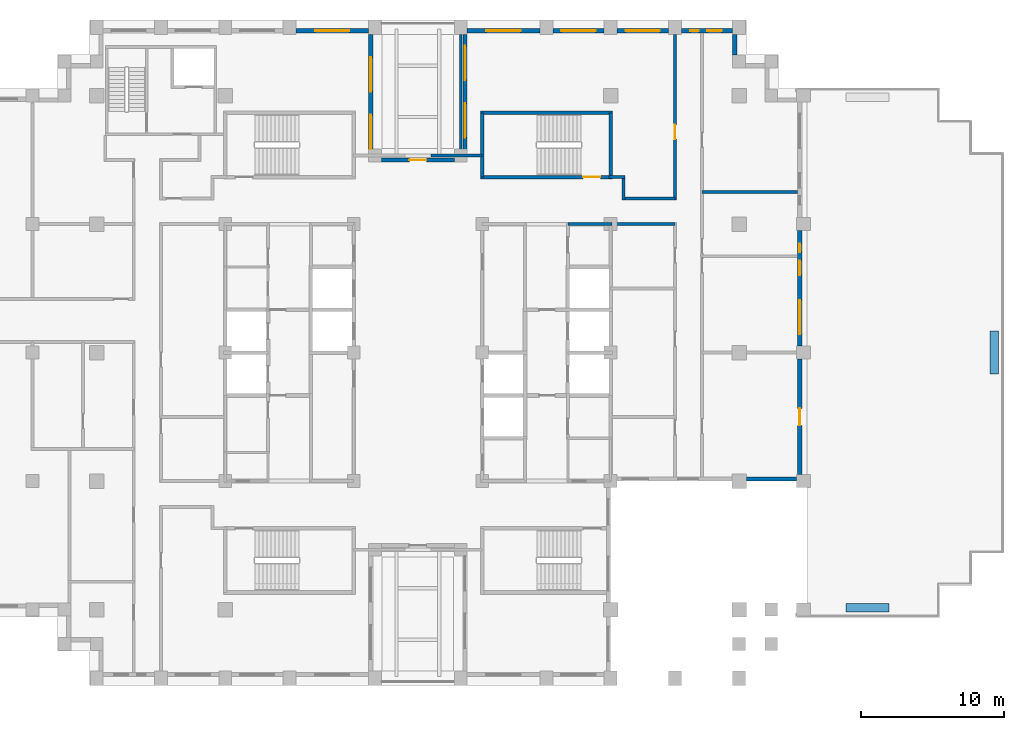
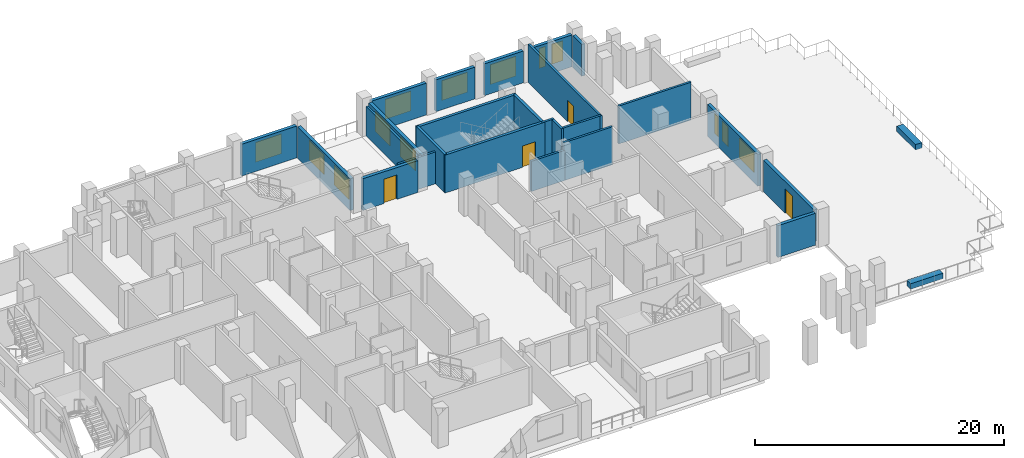
# One storey, part 8 of 12: 27 walls, 13 windows, 4 doors, 17 openings.
"""IFC4 building model written with IfcOpenShell, lengths in metres."""

from ifc_helpers import new_model, si_unit, direction, frame, frame_2d, origin, place, context, subcontext, project, spatial, rectangle, extrude, material, layer, layer_set, type_object, element, fill, save


model = new_model("IFC4")

# Units and contexts
model_context = context("Model", 3, precision=1e-05, world=origin(), true_north=direction((0.0, 1.0)))
body_context = subcontext(model_context, "Body", "Model", "MODEL_VIEW")
ifc_project = project(units=[si_unit("LENGTHUNIT", "METRE"), si_unit("AREAUNIT", "SQUARE_METRE"), si_unit("VOLUMEUNIT", "CUBIC_METRE"), si_unit("PLANEANGLEUNIT", "RADIAN"), si_unit("MASSUNIT", "GRAM", prefix="KILO")], contexts=[model_context])

# Site, building, storey
site_placement = place(None, origin())
site = spatial("IfcSite", under=ifc_project, at=site_placement, CompositionType="ELEMENT")
building_placement = place(site_placement, origin())
building = spatial("IfcBuilding", under=site, at=building_placement, Name="Corbelhall Arena Tower", CompositionType="ELEMENT")
storey_placement = place(building_placement, frame((0.0, 0.0, 184.0)))
storey = spatial("IfcBuildingStorey", under=building, at=storey_placement, Name="L37", CompositionType="ELEMENT", Elevation=184.0)

# Wall, opening, door
ifc_material_1 = material(Name="Precast concrete C40/50 with granite facing", Category="masonry")
ifc_layer_1 = layer(ifc_material_1, 0.300048828125)
ifc_layer_set_1 = layer_set([ifc_layer_1], Name="EV-IW1 Infill panel 300")
wall_type_1 = type_object("IfcWallType", Name="EV-IW1 Infill panel 300", PredefinedType="SOLIDWALL", material=ifc_layer_set_1)
wall_1_placement = place(storey_placement, frame((26.75, -0.449951171875, 0.0), z_axis=(0.0, 0.0, 1.0), x_axis=(0.0, -1.0, 0.0)))
wall_1 = element("IfcWall", 1, at=wall_1_placement, inside=storey, type_object=wall_type_1, Name="Infill panel IW1", PredefinedType="SOLIDWALL", context=body_context, shape_type="SweptSolid", body=[
    extrude(rectangle(XDim=8.10009765625, YDim=0.300048828125, at=frame_2d((4.050048828125, 0.0))), origin(), (0.0, 0.0, 1.0), 3.1201171875),
])
opening_1_placement = place(wall_1_placement, frame((3.449951171875, 0.0, 0.0)))
opening_1 = element("IfcOpeningElement", 2, at=opening_1_placement, cuts=wall_1, Name="Opening ED2", PredefinedType="OPENING", context=body_context, shape_type="SweptSolid", body=[
    extrude(rectangle(XDim=1.199951171875, YDim=2.39990234375, at=frame_2d((0.60009765625, 1.199951171875))), frame((0.0, 0.14990234375, 0.0), z_axis=(0.0, -1.0, 0.0), x_axis=(1.0, 0.0, 0.0)), (0.0, 0.0, 1.0), 0.300048828125),
])
ifc_material_2 = material(Name="Aluminium black anodised", Category="aluminium")
door_type_1 = type_object("IfcDoorType", Name="EV-ED2 Roof terrace door", OperationType="SINGLE_SWING_LEFT", PredefinedType="DOOR", material=ifc_material_2)
door_1_placement = place(opening_1_placement, origin())
door_1 = element("IfcDoor", 3, at=door_1_placement, inside=storey, type_object=door_type_1, Name="Terrace door", OperationType="SINGLE_SWING_LEFT", OverallHeight=2.39990234375, OverallWidth=1.199951171875, PredefinedType="DOOR", context=body_context, shape_type="SweptSolid", body=[
    extrude(rectangle(XDim=1.199951171875, YDim=2.39990234375, at=frame_2d((0.60009765625, 1.199951171875))), frame((0.0, 0.02490234375, 0.0), z_axis=(0.0, -1.0, 0.0), x_axis=(1.0, 0.0, 0.0)), (0.0, 0.0, 1.0), 0.050048828125),
])
fill(opening_1, door_1)

# Wall, openings, windows
wall_2_placement = place(storey_placement, frame((26.75, 0.449951171875, 0.0), z_axis=(0.0, 0.0, 1.0), x_axis=(0.0, 1.0, 0.0)))
wall_2 = element("IfcWall", 4, at=wall_2_placement, inside=storey, type_object=wall_type_1, Name="Infill panel IW1", PredefinedType="SOLIDWALL", context=body_context, shape_type="SweptSolid", body=[
    extrude(rectangle(XDim=8.10009765625, YDim=0.300048828125, at=frame_2d((4.050048828125, 0.0))), origin(), (0.0, 0.0, 1.0), 3.1201171875),
])
opening_2_placement = place(wall_2_placement, frame((0.824951171875, 0.0, 0.800048828125)))
opening_2 = element("IfcOpeningElement", 5, at=opening_2_placement, cuts=wall_2, Name="Opening WN1", PredefinedType="OPENING", context=body_context, shape_type="SweptSolid", body=[
    extrude(rectangle(XDim=2.39990234375, YDim=1.949951171875, at=frame_2d((1.199951171875, 0.97509765625))), frame((0.0, 0.14990234375, 0.0), z_axis=(0.0, -1.0, 0.0), x_axis=(1.0, 0.0, 0.0)), (0.0, 0.0, 1.0), 0.300048828125),
])
opening_3_placement = place(wall_2_placement, frame((4.987548828125, 0.0, 0.800048828125)))
opening_3 = element("IfcOpeningElement", 6, at=opening_3_placement, cuts=wall_2, Name="Opening WN6", PredefinedType="OPENING", context=body_context, shape_type="SweptSolid", body=[
    extrude(rectangle(XDim=1.0, YDim=1.949951171875, at=frame_2d((0.5, 0.97509765625))), frame((0.0, 0.14990234375, 0.0), z_axis=(0.0, -1.0, 0.0), x_axis=(1.0, 0.0, 0.0)), (0.0, 0.0, 1.0), 0.300048828125),
])
opening_4_placement = place(wall_2_placement, frame((6.58740234375, 0.0, 0.800048828125)))
opening_4 = element("IfcOpeningElement", 7, at=opening_4_placement, cuts=wall_2, Name="Opening WN5", PredefinedType="OPENING", context=body_context, shape_type="SweptSolid", body=[
    extrude(rectangle(XDim=0.60009765625, YDim=1.949951171875, at=frame_2d((0.300048828125, 0.97509765625))), frame((0.0, 0.14990234375, 0.0), z_axis=(0.0, -1.0, 0.0), x_axis=(1.0, 0.0, 0.0)), (0.0, 0.0, 1.0), 0.300048828125),
])
window_type_1 = type_object("IfcWindowType", Name="EV-WN1 Office window", PartitioningType="SINGLE_PANEL", PredefinedType="WINDOW", material=ifc_material_2)
window_1_placement = place(opening_2_placement, origin())
window_1 = element("IfcWindow", 8, at=window_1_placement, inside=storey, type_object=window_type_1, Name="Window WN1", OverallHeight=1.949951171875, OverallWidth=2.39990234375, PartitioningType="SINGLE_PANEL", PredefinedType="WINDOW", context=body_context, shape_type="SweptSolid", body=[
    extrude(rectangle(XDim=2.39990234375, YDim=1.949951171875, at=frame_2d((1.199951171875, 0.97509765625))), frame((0.0, 0.030029296875, 0.0), z_axis=(0.0, -1.0, 0.0), x_axis=(1.0, 0.0, 0.0)), (0.0, 0.0, 1.0), 0.06005859375),
])
fill(opening_2, window_1)
window_type_2 = type_object("IfcWindowType", Name="EV-WN5 Office window 600", PartitioningType="SINGLE_PANEL", PredefinedType="WINDOW", material=ifc_material_2)
window_2_placement = place(opening_4_placement, origin())
window_2 = element("IfcWindow", 9, at=window_2_placement, inside=storey, type_object=window_type_2, Name="Window WN5", OverallHeight=1.949951171875, OverallWidth=0.60009765625, PartitioningType="SINGLE_PANEL", PredefinedType="WINDOW", context=body_context, shape_type="SweptSolid", body=[
    extrude(rectangle(XDim=0.60009765625, YDim=1.949951171875, at=frame_2d((0.300048828125, 0.97509765625))), frame((0.0, 0.030029296875, 0.0), z_axis=(0.0, -1.0, 0.0), x_axis=(1.0, 0.0, 0.0)), (0.0, 0.0, 1.0), 0.06005859375),
])
fill(opening_4, window_2)
window_type_3 = type_object("IfcWindowType", Name="EV-WN6 Office window 1000", PartitioningType="SINGLE_PANEL", PredefinedType="WINDOW", material=ifc_material_2)
window_3_placement = place(opening_3_placement, origin())
window_3 = element("IfcWindow", 10, at=window_3_placement, inside=storey, type_object=window_type_3, Name="Window WN6", OverallHeight=1.949951171875, OverallWidth=1.0, PartitioningType="SINGLE_PANEL", PredefinedType="WINDOW", context=body_context, shape_type="SweptSolid", body=[
    extrude(rectangle(XDim=1.0, YDim=1.949951171875, at=frame_2d((0.5, 0.97509765625))), frame((0.0, 0.030029296875, 0.0), z_axis=(0.0, -1.0, 0.0), x_axis=(1.0, 0.0, 0.0)), (0.0, 0.0, 1.0), 0.06005859375),
])
fill(opening_3, window_3)

# Wall
wall_3_placement = place(storey_placement, frame((22.199951171875, 20.85009765625, 0.0), z_axis=(0.0, 0.0, 1.0), x_axis=(0.0, 1.0, 0.0)))
element("IfcWall", 11, at=wall_3_placement, inside=storey, type_object=wall_type_1, Name="Infill panel IW1", PredefinedType="SOLIDWALL", context=body_context, shape_type="SweptSolid", body=[
    extrude(rectangle(XDim=1.449951171875, YDim=0.300048828125, at=frame_2d((0.72509765625, 0.0))), origin(), (0.0, 0.0, 1.0), 3.1201171875),
])

# Wall, openings, windows
wall_4_placement = place(storey_placement, frame((22.050048828125, 22.550048828125, 0.0), z_axis=(0.0, 0.0, 1.0), x_axis=(-1.0, 0.0, 0.0)))
wall_4 = element("IfcWall", 12, at=wall_4_placement, inside=storey, type_object=wall_type_1, Name="Infill panel IW1", PredefinedType="SOLIDWALL", context=body_context, shape_type="SweptSolid", body=[
    extrude(rectangle(XDim=3.60009765625, YDim=0.300048828125, at=frame_2d((1.800048828125, 0.0))), origin(), (0.0, 0.0, 1.0), 3.1201171875),
])
opening_5_placement = place(wall_4_placement, frame((0.77490234375, 0.0, 0.800048828125)))
opening_5 = element("IfcOpeningElement", 13, at=opening_5_placement, cuts=wall_4, Name="Opening WN6", PredefinedType="OPENING", context=body_context, shape_type="SweptSolid", body=[
    extrude(rectangle(XDim=1.0, YDim=1.949951171875, at=frame_2d((0.5, 0.97509765625))), frame((0.0, 0.14990234375, 0.0), z_axis=(0.0, -1.0, 0.0), x_axis=(1.0, 0.0, 0.0)), (0.0, 0.0, 1.0), 0.300048828125),
])
opening_6_placement = place(wall_4_placement, frame((2.375, 0.0, 0.800048828125)))
opening_6 = element("IfcOpeningElement", 14, at=opening_6_placement, cuts=wall_4, Name="Opening WN5", PredefinedType="OPENING", context=body_context, shape_type="SweptSolid", body=[
    extrude(rectangle(XDim=0.60009765625, YDim=1.949951171875, at=frame_2d((0.300048828125, 0.97509765625))), frame((0.0, 0.14990234375, 0.0), z_axis=(0.0, -1.0, 0.0), x_axis=(1.0, 0.0, 0.0)), (0.0, 0.0, 1.0), 0.300048828125),
])
window_4_placement = place(opening_6_placement, origin())
window_4 = element("IfcWindow", 15, at=window_4_placement, inside=storey, type_object=window_type_2, Name="Window WN5", OverallHeight=1.949951171875, OverallWidth=0.60009765625, PartitioningType="SINGLE_PANEL", PredefinedType="WINDOW", context=body_context, shape_type="SweptSolid", body=[
    extrude(rectangle(XDim=0.60009765625, YDim=1.949951171875, at=frame_2d((0.300048828125, 0.97509765625))), frame((0.0, 0.030029296875, 0.0), z_axis=(0.0, -1.0, 0.0), x_axis=(1.0, 0.0, 0.0)), (0.0, 0.0, 1.0), 0.06005859375),
])
fill(opening_6, window_4)
window_5_placement = place(opening_5_placement, origin())
window_5 = element("IfcWindow", 16, at=window_5_placement, inside=storey, type_object=window_type_3, Name="Window WN6", OverallHeight=1.949951171875, OverallWidth=1.0, PartitioningType="SINGLE_PANEL", PredefinedType="WINDOW", context=body_context, shape_type="SweptSolid", body=[
    extrude(rectangle(XDim=1.0, YDim=1.949951171875, at=frame_2d((0.5, 0.97509765625))), frame((0.0, 0.030029296875, 0.0), z_axis=(0.0, -1.0, 0.0), x_axis=(1.0, 0.0, 0.0)), (0.0, 0.0, 1.0), 0.06005859375),
])
fill(opening_5, window_5)

# Wall, opening, window
wall_5_placement = place(storey_placement, frame((17.550048828125, 22.550048828125, 0.0), z_axis=(0.0, 0.0, 1.0), x_axis=(-1.0, 0.0, 0.0)))
wall_5 = element("IfcWall", 17, at=wall_5_placement, inside=storey, type_object=wall_type_1, Name="Infill panel IW1", PredefinedType="SOLIDWALL", context=body_context, shape_type="SweptSolid", body=[
    extrude(rectangle(XDim=3.60009765625, YDim=0.300048828125, at=frame_2d((1.800048828125, 0.0))), origin(), (0.0, 0.0, 1.0), 3.1201171875),
])
opening_7_placement = place(wall_5_placement, frame((0.60009765625, 0.0, 0.800048828125)))
opening_7 = element("IfcOpeningElement", 18, at=opening_7_placement, cuts=wall_5, Name="Opening WN1", PredefinedType="OPENING", context=body_context, shape_type="SweptSolid", body=[
    extrude(rectangle(XDim=2.39990234375, YDim=1.949951171875, at=frame_2d((1.199951171875, 0.97509765625))), frame((0.0, 0.14990234375, 0.0), z_axis=(0.0, -1.0, 0.0), x_axis=(1.0, 0.0, 0.0)), (0.0, 0.0, 1.0), 0.300048828125),
])
window_6_placement = place(opening_7_placement, origin())
window_6 = element("IfcWindow", 19, at=window_6_placement, inside=storey, type_object=window_type_1, Name="Window WN1", OverallHeight=1.949951171875, OverallWidth=2.39990234375, PartitioningType="SINGLE_PANEL", PredefinedType="WINDOW", context=body_context, shape_type="SweptSolid", body=[
    extrude(rectangle(XDim=2.39990234375, YDim=1.949951171875, at=frame_2d((1.199951171875, 0.97509765625))), frame((0.0, 0.030029296875, 0.0), z_axis=(0.0, -1.0, 0.0), x_axis=(1.0, 0.0, 0.0)), (0.0, 0.0, 1.0), 0.06005859375),
])
fill(opening_7, window_6)

wall_6_placement = place(storey_placement, frame((13.050048828125, 22.550048828125, 0.0), z_axis=(0.0, 0.0, 1.0), x_axis=(-1.0, 0.0, 0.0)))
wall_6 = element("IfcWall", 20, at=wall_6_placement, inside=storey, type_object=wall_type_1, Name="Infill panel IW1", PredefinedType="SOLIDWALL", context=body_context, shape_type="SweptSolid", body=[
    extrude(rectangle(XDim=3.60009765625, YDim=0.300048828125, at=frame_2d((1.800048828125, 0.0))), origin(), (0.0, 0.0, 1.0), 3.1201171875),
])
opening_8_placement = place(wall_6_placement, frame((0.60009765625, 0.0, 0.800048828125)))
opening_8 = element("IfcOpeningElement", 21, at=opening_8_placement, cuts=wall_6, Name="Opening WN1", PredefinedType="OPENING", context=body_context, shape_type="SweptSolid", body=[
    extrude(rectangle(XDim=2.39990234375, YDim=1.949951171875, at=frame_2d((1.199951171875, 0.97509765625))), frame((0.0, 0.14990234375, 0.0), z_axis=(0.0, -1.0, 0.0), x_axis=(1.0, 0.0, 0.0)), (0.0, 0.0, 1.0), 0.300048828125),
])
window_7_placement = place(opening_8_placement, origin())
window_7 = element("IfcWindow", 22, at=window_7_placement, inside=storey, type_object=window_type_1, Name="Window WN1", OverallHeight=1.949951171875, OverallWidth=2.39990234375, PartitioningType="SINGLE_PANEL", PredefinedType="WINDOW", context=body_context, shape_type="SweptSolid", body=[
    extrude(rectangle(XDim=2.39990234375, YDim=1.949951171875, at=frame_2d((1.199951171875, 0.97509765625))), frame((0.0, 0.030029296875, 0.0), z_axis=(0.0, -1.0, 0.0), x_axis=(1.0, 0.0, 0.0)), (0.0, 0.0, 1.0), 0.06005859375),
])
fill(opening_8, window_7)

wall_7_placement = place(storey_placement, frame((8.550048828125, 22.550048828125, 0.0), z_axis=(0.0, 0.0, 1.0), x_axis=(-1.0, 0.0, 0.0)))
wall_7 = element("IfcWall", 23, at=wall_7_placement, inside=storey, type_object=wall_type_1, Name="Infill panel IW1", PredefinedType="SOLIDWALL", context=body_context, shape_type="SweptSolid", body=[
    extrude(rectangle(XDim=5.10009765625, YDim=0.300048828125, at=frame_2d((2.550048828125, 0.0))), origin(), (0.0, 0.0, 1.0), 3.1201171875),
])
opening_9_placement = place(wall_7_placement, frame((1.35009765625, 0.0, 0.800048828125)))
opening_9 = element("IfcOpeningElement", 24, at=opening_9_placement, cuts=wall_7, Name="Opening WN1", PredefinedType="OPENING", context=body_context, shape_type="SweptSolid", body=[
    extrude(rectangle(XDim=2.39990234375, YDim=1.949951171875, at=frame_2d((1.199951171875, 0.97509765625))), frame((0.0, 0.14990234375, 0.0), z_axis=(0.0, -1.0, 0.0), x_axis=(1.0, 0.0, 0.0)), (0.0, 0.0, 1.0), 0.300048828125),
])
window_8_placement = place(opening_9_placement, origin())
window_8 = element("IfcWindow", 25, at=window_8_placement, inside=storey, type_object=window_type_1, Name="Window WN1", OverallHeight=1.949951171875, OverallWidth=2.39990234375, PartitioningType="SINGLE_PANEL", PredefinedType="WINDOW", context=body_context, shape_type="SweptSolid", body=[
    extrude(rectangle(XDim=2.39990234375, YDim=1.949951171875, at=frame_2d((1.199951171875, 0.97509765625))), frame((0.0, 0.030029296875, 0.0), z_axis=(0.0, -1.0, 0.0), x_axis=(1.0, 0.0, 0.0)), (0.0, 0.0, 1.0), 0.06005859375),
])
fill(opening_9, window_8)

# Wall, openings, windows
wall_8_placement = place(storey_placement, frame((3.300048828125, 22.300048828125, 0.0), z_axis=(0.0, 0.0, 1.0), x_axis=(0.0, -1.0, 0.0)))
wall_8 = element("IfcWall", 26, at=wall_8_placement, inside=storey, type_object=wall_type_1, Name="Infill panel IW1", PredefinedType="SOLIDWALL", context=body_context, shape_type="SweptSolid", body=[
    extrude(rectangle(XDim=8.449951171875, YDim=0.300048828125, at=frame_2d((4.22509765625, 0.0))), origin(), (0.0, 0.0, 1.0), 3.1201171875),
])
opening_10_placement = place(wall_8_placement, frame((0.8125, 0.0, 0.800048828125)))
opening_10 = element("IfcOpeningElement", 27, at=opening_10_placement, cuts=wall_8, Name="Opening WN1", PredefinedType="OPENING", context=body_context, shape_type="SweptSolid", body=[
    extrude(rectangle(XDim=2.39990234375, YDim=1.949951171875, at=frame_2d((1.199951171875, 0.97509765625))), frame((0.0, 0.14990234375, 0.0), z_axis=(0.0, -1.0, 0.0), x_axis=(1.0, 0.0, 0.0)), (0.0, 0.0, 1.0), 0.300048828125),
])
opening_11_placement = place(wall_8_placement, frame((4.83740234375, 0.0, 0.800048828125)))
opening_11 = element("IfcOpeningElement", 28, at=opening_11_placement, cuts=wall_8, Name="Opening WN1", PredefinedType="OPENING", context=body_context, shape_type="SweptSolid", body=[
    extrude(rectangle(XDim=2.39990234375, YDim=1.949951171875, at=frame_2d((1.199951171875, 0.97509765625))), frame((0.0, 0.14990234375, 0.0), z_axis=(0.0, -1.0, 0.0), x_axis=(1.0, 0.0, 0.0)), (0.0, 0.0, 1.0), 0.300048828125),
])
window_9_placement = place(opening_10_placement, origin())
window_9 = element("IfcWindow", 29, at=window_9_placement, inside=storey, type_object=window_type_1, Name="Window WN1", OverallHeight=1.949951171875, OverallWidth=2.39990234375, PartitioningType="SINGLE_PANEL", PredefinedType="WINDOW", context=body_context, shape_type="SweptSolid", body=[
    extrude(rectangle(XDim=2.39990234375, YDim=1.949951171875, at=frame_2d((1.199951171875, 0.97509765625))), frame((0.0, 0.030029296875, 0.0), z_axis=(0.0, -1.0, 0.0), x_axis=(1.0, 0.0, 0.0)), (0.0, 0.0, 1.0), 0.06005859375),
])
fill(opening_10, window_9)
window_10_placement = place(opening_11_placement, origin())
window_10 = element("IfcWindow", 30, at=window_10_placement, inside=storey, type_object=window_type_1, Name="Window WN1", OverallHeight=1.949951171875, OverallWidth=2.39990234375, PartitioningType="SINGLE_PANEL", PredefinedType="WINDOW", context=body_context, shape_type="SweptSolid", body=[
    extrude(rectangle(XDim=2.39990234375, YDim=1.949951171875, at=frame_2d((1.199951171875, 0.97509765625))), frame((0.0, 0.030029296875, 0.0), z_axis=(0.0, -1.0, 0.0), x_axis=(1.0, 0.0, 0.0)), (0.0, 0.0, 1.0), 0.06005859375),
])
fill(opening_11, window_10)

# Wall, opening, door
wall_9_placement = place(storey_placement, frame((-2.550048828125, 13.5, 0.0), z_axis=(0.0, 0.0, 1.0), x_axis=(1.0, 0.0, 0.0)))
wall_9 = element("IfcWall", 31, at=wall_9_placement, inside=storey, type_object=wall_type_1, Name="Infill panel IW1", PredefinedType="SOLIDWALL", context=body_context, shape_type="SweptSolid", body=[
    extrude(rectangle(XDim=5.10009765625, YDim=0.300048828125, at=frame_2d((2.550048828125, 0.0))), origin(), (0.0, 0.0, 1.0), 3.1201171875),
])
opening_12_placement = place(wall_9_placement, frame((1.949951171875, 0.0, 0.0)))
opening_12 = element("IfcOpeningElement", 32, at=opening_12_placement, cuts=wall_9, Name="Opening ED1", PredefinedType="OPENING", context=body_context, shape_type="SweptSolid", body=[
    extrude(rectangle(XDim=1.199951171875, YDim=2.39990234375, at=frame_2d((0.60009765625, 1.199951171875))), frame((0.0, 0.14990234375, 0.0), z_axis=(0.0, -1.0, 0.0), x_axis=(1.0, 0.0, 0.0)), (0.0, 0.0, 1.0), 0.300048828125),
])
door_type_2 = type_object("IfcDoorType", Name="EV-ED1 Terrace door", OperationType="SINGLE_SWING_LEFT", PredefinedType="DOOR", material=ifc_material_2)
door_2_placement = place(opening_12_placement, origin())
door_2 = element("IfcDoor", 33, at=door_2_placement, inside=storey, type_object=door_type_2, Name="Terrace door", OperationType="SINGLE_SWING_LEFT", OverallHeight=2.39990234375, OverallWidth=1.199951171875, PredefinedType="DOOR", context=body_context, shape_type="SweptSolid", body=[
    extrude(rectangle(XDim=1.199951171875, YDim=2.39990234375, at=frame_2d((0.60009765625, 1.199951171875))), frame((0.0, 0.02490234375, 0.0), z_axis=(0.0, -1.0, 0.0), x_axis=(1.0, 0.0, 0.0)), (0.0, 0.0, 1.0), 0.050048828125),
])
fill(opening_12, door_2)

# Wall, openings, windows
wall_10_placement = place(storey_placement, frame((-3.300048828125, 13.85009765625, 0.0), z_axis=(0.0, 0.0, 1.0), x_axis=(0.0, 1.0, 0.0)))
wall_10 = element("IfcWall", 34, at=wall_10_placement, inside=storey, type_object=wall_type_1, Name="Infill panel IW1", PredefinedType="SOLIDWALL", context=body_context, shape_type="SweptSolid", body=[
    extrude(rectangle(XDim=8.449951171875, YDim=0.300048828125, at=frame_2d((4.22509765625, 0.0))), origin(), (0.0, 0.0, 1.0), 3.1201171875),
])
opening_13_placement = place(wall_10_placement, frame((0.41259765625, 0.0, 0.800048828125)))
opening_13 = element("IfcOpeningElement", 35, at=opening_13_placement, cuts=wall_10, Name="Opening WN1", PredefinedType="OPENING", context=body_context, shape_type="SweptSolid", body=[
    extrude(rectangle(XDim=2.39990234375, YDim=1.949951171875, at=frame_2d((1.199951171875, 0.97509765625))), frame((0.0, 0.14990234375, 0.0), z_axis=(0.0, -1.0, 0.0), x_axis=(1.0, 0.0, 0.0)), (0.0, 0.0, 1.0), 0.300048828125),
])
opening_14_placement = place(wall_10_placement, frame((4.4375, 0.0, 0.800048828125)))
opening_14 = element("IfcOpeningElement", 36, at=opening_14_placement, cuts=wall_10, Name="Opening WN1", PredefinedType="OPENING", context=body_context, shape_type="SweptSolid", body=[
    extrude(rectangle(XDim=2.39990234375, YDim=1.949951171875, at=frame_2d((1.199951171875, 0.97509765625))), frame((0.0, 0.14990234375, 0.0), z_axis=(0.0, -1.0, 0.0), x_axis=(1.0, 0.0, 0.0)), (0.0, 0.0, 1.0), 0.300048828125),
])
window_11_placement = place(opening_13_placement, origin())
window_11 = element("IfcWindow", 37, at=window_11_placement, inside=storey, type_object=window_type_1, Name="Window WN1", OverallHeight=1.949951171875, OverallWidth=2.39990234375, PartitioningType="SINGLE_PANEL", PredefinedType="WINDOW", context=body_context, shape_type="SweptSolid", body=[
    extrude(rectangle(XDim=2.39990234375, YDim=1.949951171875, at=frame_2d((1.199951171875, 0.97509765625))), frame((0.0, 0.030029296875, 0.0), z_axis=(0.0, -1.0, 0.0), x_axis=(1.0, 0.0, 0.0)), (0.0, 0.0, 1.0), 0.06005859375),
])
fill(opening_13, window_11)
window_12_placement = place(opening_14_placement, origin())
window_12 = element("IfcWindow", 38, at=window_12_placement, inside=storey, type_object=window_type_1, Name="Window WN1", OverallHeight=1.949951171875, OverallWidth=2.39990234375, PartitioningType="SINGLE_PANEL", PredefinedType="WINDOW", context=body_context, shape_type="SweptSolid", body=[
    extrude(rectangle(XDim=2.39990234375, YDim=1.949951171875, at=frame_2d((1.199951171875, 0.97509765625))), frame((0.0, 0.030029296875, 0.0), z_axis=(0.0, -1.0, 0.0), x_axis=(1.0, 0.0, 0.0)), (0.0, 0.0, 1.0), 0.06005859375),
])
fill(opening_14, window_12)

# Wall, opening, window
wall_11_placement = place(storey_placement, frame((-3.449951171875, 22.550048828125, 0.0), z_axis=(0.0, 0.0, 1.0), x_axis=(-1.0, 0.0, 0.0)))
wall_11 = element("IfcWall", 39, at=wall_11_placement, inside=storey, type_object=wall_type_1, Name="Infill panel IW1", PredefinedType="SOLIDWALL", context=body_context, shape_type="SweptSolid", body=[
    extrude(rectangle(XDim=5.10009765625, YDim=0.300048828125, at=frame_2d((2.550048828125, 0.0))), origin(), (0.0, 0.0, 1.0), 3.1201171875),
])
opening_15_placement = place(wall_11_placement, frame((1.35009765625, 0.0, 0.800048828125)))
opening_15 = element("IfcOpeningElement", 40, at=opening_15_placement, cuts=wall_11, Name="Opening WN1", PredefinedType="OPENING", context=body_context, shape_type="SweptSolid", body=[
    extrude(rectangle(XDim=2.39990234375, YDim=1.949951171875, at=frame_2d((1.199951171875, 0.97509765625))), frame((0.0, 0.14990234375, 0.0), z_axis=(0.0, -1.0, 0.0), x_axis=(1.0, 0.0, 0.0)), (0.0, 0.0, 1.0), 0.300048828125),
])
window_13_placement = place(opening_15_placement, origin())
window_13 = element("IfcWindow", 41, at=window_13_placement, inside=storey, type_object=window_type_1, Name="Window WN1", OverallHeight=1.949951171875, OverallWidth=2.39990234375, PartitioningType="SINGLE_PANEL", PredefinedType="WINDOW", context=body_context, shape_type="SweptSolid", body=[
    extrude(rectangle(XDim=2.39990234375, YDim=1.949951171875, at=frame_2d((1.199951171875, 0.97509765625))), frame((0.0, 0.030029296875, 0.0), z_axis=(0.0, -1.0, 0.0), x_axis=(1.0, 0.0, 0.0)), (0.0, 0.0, 1.0), 0.06005859375),
])
fill(opening_15, window_13)

# Walls
wall_12_placement = place(storey_placement, frame((23.0, -8.85009765625, 0.0), z_axis=(0.0, 0.0, 1.0), x_axis=(1.0, 0.0, 0.0)))
element("IfcWall", 42, at=wall_12_placement, inside=storey, type_object=wall_type_1, Name="Infill panel IW1", PredefinedType="SOLIDWALL", context=body_context, shape_type="SweptSolid", body=[
    extrude(rectangle(XDim=3.5, YDim=0.300048828125, at=frame_2d((1.75, 0.0))), origin(), (0.0, 0.0, 1.0), 3.1201171875),
])
ifc_layer_2 = layer(ifc_material_1, 0.60009765625)
ifc_layer_set_2 = layer_set([ifc_layer_2], Name="EV-PL1 Planter box")
wall_type_2 = type_object("IfcWallType", Name="EV-PL1 Planter box", PredefinedType="SOLIDWALL", material=ifc_layer_set_2)
for number, where, z_axis, x_axis, name in (
    (43, (40.3798828125, 1.5, 0.0), (0.0, 0.0, 1.0), (0.0, -1.0, 0.0), "PLANTER"),
    (44, (33.0, -17.8798828125, 0.0), (0.0, 0.0, 1.0), (-1.0, 0.0, 0.0), "PLANTER"),
):
    element("IfcWall", number, at=place(storey_placement, frame(where, z_axis=z_axis, x_axis=x_axis)), inside=storey, type_object=wall_type_2, Name=name, PredefinedType="SOLIDWALL", context=body_context, shape_type="SweptSolid", body=[
        extrude(rectangle(XDim=3.0, YDim=0.60009765625, at=frame_2d((1.5, 0.0))), origin(), (0.0, 0.0, 1.0), 0.5400390625),
    ])
ifc_material_3 = material(Name="Gypsum board on steel stud, acoustic", Category="steel")
ifc_layer_3 = layer(ifc_material_3, 0.199951171875)
ifc_layer_set_3 = layer_set([ifc_layer_3], Name="IN-W-DM200")
wall_type_3 = type_object("IfcWallType", Name="IN-W-DM200", PredefinedType="PARTITIONING", material=ifc_layer_set_3)
wall_13_placement = place(storey_placement, frame((13.375, 12.300048828125, 0.0), z_axis=(0.0, 0.0, 1.0), x_axis=(1.0, 0.0, 0.0)))
element("IfcWall", 45, at=wall_13_placement, inside=storey, type_object=wall_type_3, Name="Partition 038", PredefinedType="PARTITIONING", context=body_context, shape_type="SweptSolid", body=[
    extrude(rectangle(XDim=1.125, YDim=0.199951171875, at=frame_2d((0.5625, 0.0))), origin(), (0.0, 0.0, 1.0), 3.719970703125),
])
wall_14_placement = place(storey_placement, frame((18.0, 9.0, 0.0), z_axis=(0.0, 0.0, 1.0), x_axis=(-1.0, 0.0, 0.0)))
element("IfcWall", 46, at=wall_14_placement, inside=storey, type_object=wall_type_3, Name="Partition 041", PredefinedType="PARTITIONING", context=body_context, shape_type="SweptSolid", body=[
    extrude(rectangle(XDim=4.5, YDim=0.199951171875, at=frame_2d((2.25, 0.0))), origin(), (0.0, 0.0, 1.0), 3.719970703125),
])
wall_15_placement = place(storey_placement, frame((14.39990234375, 10.800048828125, 0.0), z_axis=(0.0, 0.0, 1.0), x_axis=(1.0, 0.0, 0.0)))
element("IfcWall", 47, at=wall_15_placement, inside=storey, type_object=wall_type_3, Name="Partition 042", PredefinedType="PARTITIONING", context=body_context, shape_type="SweptSolid", body=[
    extrude(rectangle(XDim=3.60009765625, YDim=0.199951171875, at=frame_2d((1.800048828125, 0.0))), origin(), (0.0, 0.0, 1.0), 3.719970703125),
])
wall_16_placement = place(storey_placement, frame((14.39990234375, 12.300048828125, 0.0), z_axis=(0.0, 0.0, 1.0), x_axis=(0.0, -1.0, 0.0)))
element("IfcWall", 48, at=wall_16_placement, inside=storey, type_object=wall_type_3, Name="Partition 043", PredefinedType="PARTITIONING", context=body_context, shape_type="SweptSolid", body=[
    extrude(rectangle(XDim=1.60009765625, YDim=0.199951171875, at=frame_2d((0.800048828125, 0.0))), origin(), (0.0, 0.0, 1.0), 3.719970703125),
])

# Wall, opening, door
wall_17_placement = place(storey_placement, frame((18.0, 10.699951171875, 0.0), z_axis=(0.0, 0.0, 1.0), x_axis=(0.0, 1.0, 0.0)))
wall_17 = element("IfcWall", 49, at=wall_17_placement, inside=storey, type_object=wall_type_3, Name="Partition 045", PredefinedType="PARTITIONING", context=body_context, shape_type="SweptSolid", body=[
    extrude(rectangle(XDim=11.60009765625, YDim=0.199951171875, at=frame_2d((5.800048828125, 0.0))), origin(), (0.0, 0.0, 1.0), 3.719970703125),
])
opening_16_placement = place(wall_17_placement, frame((4.25, 0.0, 0.0)))
opening_16 = element("IfcOpeningElement", 50, at=opening_16_placement, cuts=wall_17, Name="Opening 11028", PredefinedType="OPENING", context=body_context, shape_type="SweptSolid", body=[
    extrude(rectangle(XDim=1.0, YDim=2.10009765625, at=frame_2d((0.5, 1.050048828125))), frame((0.0, 0.10009765625, 0.0), z_axis=(0.0, -1.0, 0.0), x_axis=(1.0, 0.0, 0.0)), (0.0, 0.0, 1.0), 0.199951171875),
])
ifc_material_4 = material(Name="Steel door set", Category="steel")
door_type_3 = type_object("IfcDoorType", Name="IN-D-SW100", OperationType="NOTDEFINED", PredefinedType="DOOR", material=ifc_material_4)
door_3_placement = place(opening_16_placement, origin())
door_3 = element("IfcDoor", 51, at=door_3_placement, inside=storey, type_object=door_type_3, Name="Door 028", OperationType="SINGLE_SWING_LEFT", OverallHeight=2.10009765625, OverallWidth=1.0, PredefinedType="DOOR", context=body_context, shape_type="SweptSolid", body=[
    extrude(rectangle(XDim=1.0, YDim=2.10009765625, at=frame_2d((0.5, 1.050048828125))), frame((0.0, 0.02490234375, 0.0), z_axis=(0.0, -1.0, 0.0), x_axis=(1.0, 0.0, 0.0)), (0.0, 0.0, 1.0), 0.050048828125),
])
fill(opening_16, door_3)

# Walls
wall_18_placement = place(storey_placement, frame((19.89990234375, 11.25, 0.0), z_axis=(0.0, 0.0, 1.0), x_axis=(1.0, 0.0, 0.0)))
element("IfcWall", 52, at=wall_18_placement, inside=storey, type_object=wall_type_3, Name="Partition 048", PredefinedType="PARTITIONING", context=body_context, shape_type="SweptSolid", body=[
    extrude(rectangle(XDim=6.7001953125, YDim=0.199951171875, at=frame_2d((3.35009765625, 0.0))), origin(), (0.0, 0.0, 1.0), 3.719970703125),
])
ifc_layer_4 = layer(ifc_material_3, 0.199951171875)
ifc_layer_set_4 = layer_set([ifc_layer_4], Name="IN-W-DM200 under beam 607 mm")
wall_type_4 = type_object("IfcWallType", Name="IN-W-DM200 under beam 607 mm", PredefinedType="PARTITIONING", material=ifc_layer_set_4)
wall_19_placement = place(storey_placement, frame((0.89990234375, 13.800048828125, 0.0), z_axis=(0.0, 0.0, 1.0), x_axis=(1.0, 0.0, 0.0)))
element("IfcWall", 53, at=wall_19_placement, inside=storey, type_object=wall_type_4, Name="Partition 035", PredefinedType="PARTITIONING", context=body_context, shape_type="SweptSolid", body=[
    extrude(rectangle(XDim=3.60009765625, YDim=0.199951171875, at=frame_2d((1.800048828125, 0.0))), origin(), (0.0, 0.0, 1.0), 3.11279296875),
])
ifc_layer_5 = layer(ifc_material_3, 0.199951171875)
ifc_layer_set_5 = layer_set([ifc_layer_5], Name="IN-W-DM200 under beam 846 mm")
wall_type_5 = type_object("IfcWallType", Name="IN-W-DM200 under beam 846 mm", PredefinedType="PARTITIONING", material=ifc_layer_set_5)
wall_20_placement = place(storey_placement, frame((3.0, 22.300048828125, 0.0), z_axis=(0.0, 0.0, 1.0), x_axis=(0.0, -1.0, 0.0)))
element("IfcWall", 54, at=wall_20_placement, inside=storey, type_object=wall_type_5, Name="Partition 037", PredefinedType="PARTITIONING", context=body_context, shape_type="SweptSolid", body=[
    extrude(rectangle(XDim=8.5, YDim=0.199951171875, at=frame_2d((4.25, 0.0))), origin(), (0.0, 0.0, 1.0), 2.874267578125),
])
ifc_material_5 = material(Name="Concrete block wall", Category="concrete")
ifc_layer_6 = layer(ifc_material_5, 0.199951171875)
ifc_layer_set_6 = layer_set([ifc_layer_6], Name="IN-W-RS200 under beam 762 mm")
wall_type_6 = type_object("IfcWallType", Name="IN-W-RS200 under beam 762 mm", PredefinedType="SOLIDWALL", material=ifc_layer_set_6)
wall_21_placement = place(storey_placement, frame((10.5, 9.0, 0.0), z_axis=(0.0, 0.0, 1.0), x_axis=(1.0, 0.0, 0.0)))
element("IfcWall", 55, at=wall_21_placement, inside=storey, type_object=wall_type_6, Name="Partition 068", PredefinedType="SOLIDWALL", context=body_context, shape_type="SweptSolid", body=[
    extrude(rectangle(XDim=3.10009765625, YDim=0.199951171875, at=frame_2d((1.550048828125, 0.0))), origin(), (0.0, 0.0, 1.0), 2.9580078125),
])

# Wall, opening, door
ifc_material_6 = material(Name="Concrete C40/50", Category="concrete")
ifc_layer_7 = layer(ifc_material_6, 0.25)
ifc_layer_set_7 = layer_set([ifc_layer_7], Name="IN-W-ST250")
wall_type_7 = type_object("IfcWallType", Name="IN-W-ST250", PredefinedType="SOLIDWALL", material=ifc_layer_set_7)
wall_22_placement = place(storey_placement, frame((4.375, 12.300048828125, 0.0), z_axis=(0.0, 0.0, 1.0), x_axis=(1.0, 0.0, 0.0)))
wall_22 = element("IfcWall", 56, at=wall_22_placement, inside=storey, type_object=wall_type_7, Name="Shaft wall 105", PredefinedType="SOLIDWALL", context=body_context, shape_type="SweptSolid", body=[
    extrude(rectangle(XDim=9.25, YDim=0.25, at=frame_2d((4.625, 0.0))), origin(), (0.0, 0.0, 1.0), 3.719970703125),
])
opening_17_placement = place(wall_22_placement, frame((7.199951171875, 0.0, 0.0)))
opening_17 = element("IfcOpeningElement", 57, at=opening_17_placement, cuts=wall_22, Name="Opening 11018", PredefinedType="OPENING", context=body_context, shape_type="SweptSolid", body=[
    extrude(rectangle(XDim=1.199951171875, YDim=2.10009765625, at=frame_2d((0.60009765625, 1.050048828125))), frame((0.0, 0.125, 0.0), z_axis=(0.0, -1.0, 0.0), x_axis=(1.0, 0.0, 0.0)), (0.0, 0.0, 1.0), 0.25),
])
door_type_4 = type_object("IfcDoorType", Name="IN-D-ST120", OperationType="NOTDEFINED", PredefinedType="DOOR", material=ifc_material_4)
door_4_placement = place(opening_17_placement, origin())
door_4 = element("IfcDoor", 58, at=door_4_placement, inside=storey, type_object=door_type_4, Name="Door 018", OperationType="SINGLE_SWING_LEFT", OverallHeight=2.10009765625, OverallWidth=1.199951171875, PredefinedType="DOOR", context=body_context, shape_type="SweptSolid", body=[
    extrude(rectangle(XDim=1.199951171875, YDim=2.10009765625, at=frame_2d((0.60009765625, 1.050048828125))), frame((0.0, 0.02490234375, 0.0), z_axis=(0.0, -1.0, 0.0), x_axis=(1.0, 0.0, 0.0)), (0.0, 0.0, 1.0), 0.050048828125),
])
fill(opening_17, door_4)

# Walls
wall_23_placement = place(storey_placement, frame((4.375, 16.800048828125, 0.0), z_axis=(0.0, 0.0, 1.0), x_axis=(1.0, 0.0, 0.0)))
element("IfcWall", 59, at=wall_23_placement, inside=storey, type_object=wall_type_7, Name="Shaft wall 106", PredefinedType="SOLIDWALL", context=body_context, shape_type="SweptSolid", body=[
    extrude(rectangle(XDim=9.25, YDim=0.25, at=frame_2d((4.625, 0.0))), origin(), (0.0, 0.0, 1.0), 3.719970703125),
])
for number, where, z_axis, x_axis, name in (
    (60, (4.5, 12.300048828125, 0.0), (0.0, 0.0, 1.0), (0.0, 1.0, 0.0), "Shaft wall 108"),
    (61, (13.5, 16.800048828125, 0.0), (0.0, 0.0, 1.0), (0.0, -1.0, 0.0), "Shaft wall 111"),
):
    element("IfcWall", number, at=place(storey_placement, frame(where, z_axis=z_axis, x_axis=x_axis)), inside=storey, type_object=wall_type_7, Name=name, PredefinedType="SOLIDWALL", context=body_context, shape_type="SweptSolid", body=[
        extrude(rectangle(XDim=4.5, YDim=0.25, at=frame_2d((2.25, 0.0))), origin(), (0.0, 0.0, 1.0), 3.719970703125),
    ])

save(model, "model.ifc")
